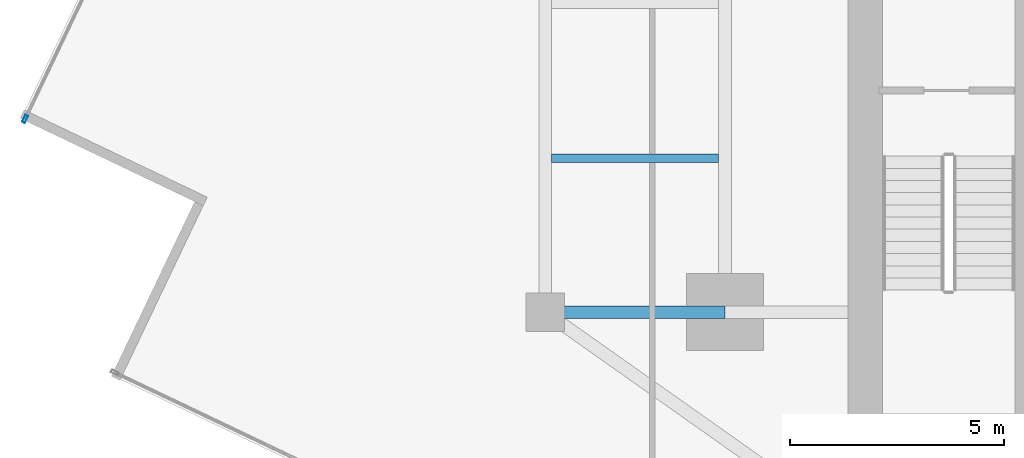
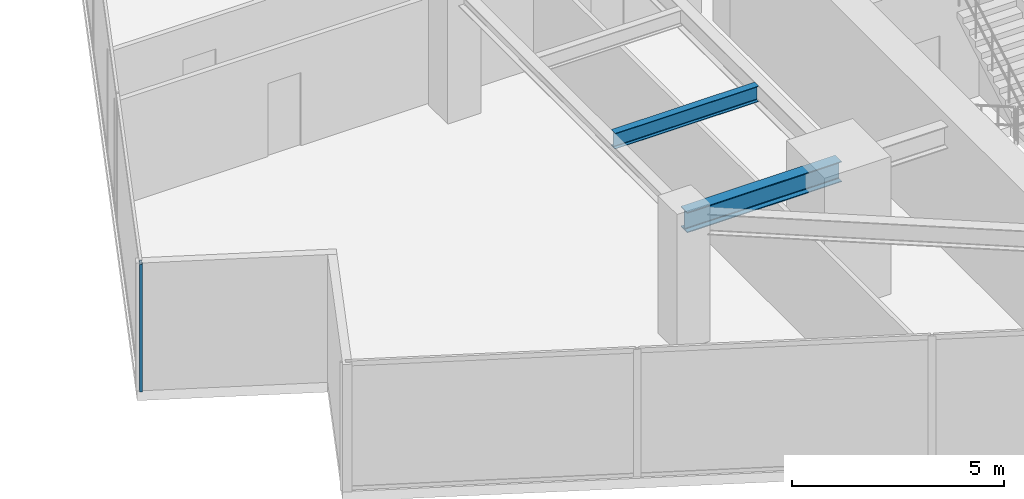
# One storey, part 5 of 25: 2 beams, 1 member, 1 element without a shape of its own.
"""IFC4 building model written with IfcOpenShell, lengths in metres."""

from ifc_helpers import new_model, si_unit, direction, frame, origin, origin_2d, place, context, subcontext, project, spatial, hollow_rectangle, i_section, extrude, source, transform, mapped, material, material_profile, profile_set, type_object, type_shapes, element, aggregate, save


model = new_model("IFC4")

# Units and contexts
model_context = context("Model", 3, precision=1e-05, world=origin(), true_north=direction((0.0, 1.0)))
body_context = subcontext(model_context, "Body", "Model", "MODEL_VIEW")
ifc_project = project(units=[si_unit("LENGTHUNIT", "METRE"), si_unit("AREAUNIT", "SQUARE_METRE"), si_unit("VOLUMEUNIT", "CUBIC_METRE"), si_unit("PLANEANGLEUNIT", "RADIAN"), si_unit("MASSUNIT", "GRAM", prefix="KILO")], contexts=[model_context])

# Site, building, storey
site_placement = place(None, origin())
site = spatial("IfcSite", under=ifc_project, at=site_placement, CompositionType="ELEMENT")
building_placement = place(site_placement, origin())
building = spatial("IfcBuilding", under=site, at=building_placement, Name="Krantzveldt Concourse Tower", CompositionType="ELEMENT")
storey_placement = place(building_placement, frame((0.0, 0.0, 146.199951171875)))
storey = spatial("IfcBuildingStorey", under=building, at=storey_placement, Name="L35", CompositionType="ELEMENT", Elevation=146.199951171875)

# Beams
ifc_material_1 = material(Name="Steel S355JR", Category="steel")
ifc_material_profile_1 = material_profile(ifc_material_1, i_section(OverallWidth=0.300048828125, OverallDepth=0.590087890625, WebThickness=0.012939453125, FlangeThickness=0.02490234375, FilletRadius=0.027099609375, at=origin_2d()), Name="Steel S355JR", Category="steel")
ifc_profile_set_1 = profile_set([ifc_material_profile_1], Name="Steel S355JR - HEA 600")
beam_type_1 = type_object("IfcBeamType", Name="BM-B-HEA600", PredefinedType="BEAM", material=ifc_profile_set_1)
shared_shape_1 = source(origin(), body_context, "Body", "SweptSolid", [
    extrude(i_section(OverallWidth=0.300048828125, OverallDepth=0.590087890625, WebThickness=0.012939453125, FlangeThickness=0.02490234375, FilletRadius=0.027099609375, at=origin_2d()), origin(), (0.0, 0.0, 1.0), 4.199951171875),
])
type_shapes(beam_type_1, [shared_shape_1])
beam_1_placement = place(storey_placement, frame((21.0, 15.89990234375, 3.375), z_axis=(1.0, 0.0, 0.0), x_axis=(0.0, 1.0, 0.0)))
element("IfcBeam", 1, at=beam_1_placement, inside=storey, type_object=beam_type_1, Name="L35 Tower Girder BR-RL1", PredefinedType="BEAM", context=body_context, shape_type="MappedRepresentation", body=[
    mapped(shared_shape_1, transform((0.0, 0.0, 0.0), x_axis=(1.0, 0.0, 0.0), y_axis=(0.0, 1.0, 0.0), z_axis=(0.0, 0.0, 1.0), scale=1.0)),
])
ifc_material_profile_2 = material_profile(ifc_material_1, i_section(OverallWidth=0.18994140625, OverallDepth=0.449951171875, WebThickness=0.009521484375, FlangeThickness=0.0146484375, FilletRadius=0.02099609375, at=origin_2d()), Name="Steel S355JR", Category="steel")
ifc_profile_set_2 = profile_set([ifc_material_profile_2], Name="Steel S355JR - IPE 450")
beam_type_2 = type_object("IfcBeamType", Name="BM-J-IPE450", PredefinedType="JOIST", material=ifc_profile_set_2)
shared_shape_2 = source(origin(), body_context, "Body", "SweptSolid", [
    extrude(i_section(OverallWidth=0.18994140625, OverallDepth=0.449951171875, WebThickness=0.009521484375, FlangeThickness=0.0146484375, FilletRadius=0.02099609375, at=origin_2d()), origin(), (0.0, 0.0, 1.0), 3.900146484375),
])
type_shapes(beam_type_2, [shared_shape_2])
beam_2_placement = place(storey_placement, frame((21.14990234375, 19.5, 3.445068359375), z_axis=(1.0, 0.0, 0.0), x_axis=(0.0, 1.0, 0.0)))
element("IfcBeam", 2, at=beam_2_placement, inside=storey, type_object=beam_type_2, Name="L35 Secondary Floor Joist JW-1", PredefinedType="JOIST", context=body_context, shape_type="MappedRepresentation", body=[
    mapped(shared_shape_2, transform((0.0, 0.0, 0.0), x_axis=(1.0, 0.0, 0.0), y_axis=(0.0, 1.0, 0.0), z_axis=(0.0, 0.0, 1.0), scale=1.0)),
])

# Curtain wall, member
ifc_material_2 = material(Name="Anodised aluminium 6063-T6", Category="aluminium")
curtain_wall_type = type_object("IfcCurtainWallType", Name="CW3", PredefinedType="USERDEFINED", material=ifc_material_2)
curtain_wall_placement = place(storey_placement, origin())
curtain_wall = element("IfcCurtainWall", 3, at=curtain_wall_placement, inside=storey, type_object=curtain_wall_type, Name="CW-L35-F01", ObjectType="UNITISED CURTAIN WALL", PredefinedType="USERDEFINED")
ifc_material_profile_3 = material_profile(ifc_material_2, hollow_rectangle(XDim=0.070068359375, YDim=0.179931640625, WallThickness=0.0048828125, at=origin_2d()), Name="Anodised aluminium 6063-T6", Category="aluminium")
ifc_profile_set_3 = profile_set([ifc_material_profile_3], Name="Anodised aluminium 6063-T6 - ALU-MULL 180x70x5")
member_type = type_object("IfcMemberType", Name="CW-MUL-180", PredefinedType="MULLION", material=ifc_profile_set_3)
shared_shape_3 = source(origin(), body_context, "Body", "SweptSolid", [
    extrude(hollow_rectangle(XDim=0.070068359375, YDim=0.179931640625, WallThickness=0.0048828125, at=origin_2d()), origin(), (0.0, 0.0, 1.0), 3.670166015625),
])
type_shapes(member_type, [shared_shape_3])
member_placement = place(storey_placement, frame((8.8388671875, 20.416015625, 0.0), z_axis=(0.0, 0.0, 1.0), x_axis=(0.902585252784, -0.430511162987, 0.0)))
member = element("IfcMember", 4, at=member_placement, type_object=member_type, Name="CW-Z34 mullion 6", PredefinedType="MULLION", context=body_context, shape_type="MappedRepresentation", body=[
    mapped(shared_shape_3, transform((0.0, 0.0, 0.0), x_axis=(1.0, 0.0, 0.0), y_axis=(0.0, 1.0, 0.0), z_axis=(0.0, 0.0, 1.0), scale=1.0)),
])
aggregate(curtain_wall, [member])

save(model, "model.ifc")
